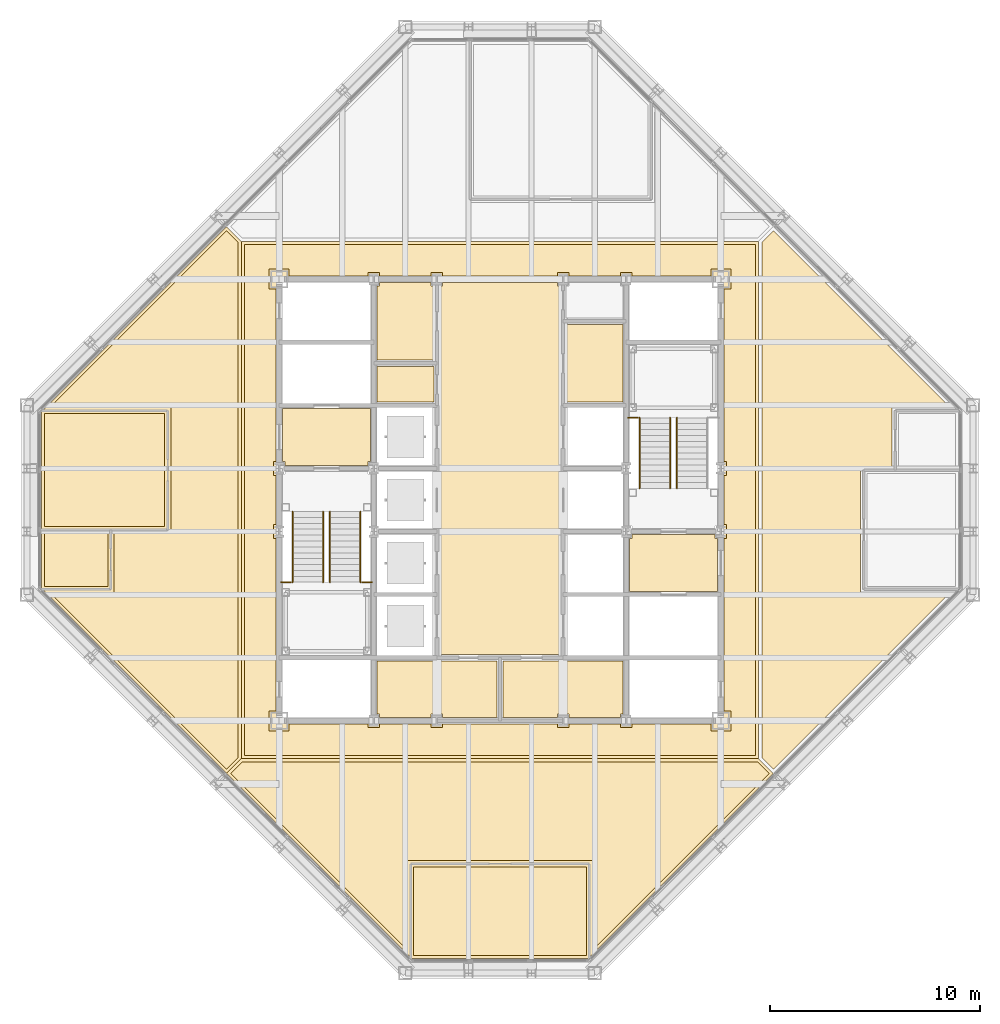
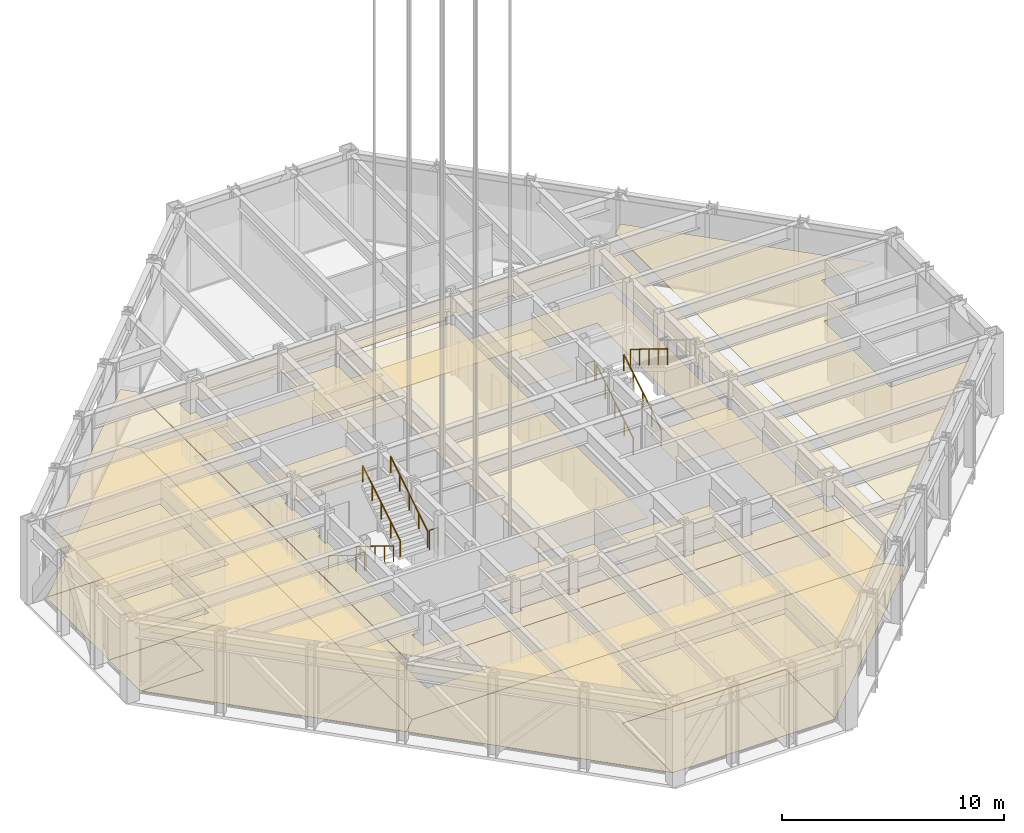
# One storey, part 14 of 24: 21 coverings, 10 railings.
"""IFC4 building model written with IfcOpenShell, lengths in metres."""

from ifc_helpers import new_model, si_unit, direction, frame, origin, origin_2d, place, context, subcontext, project, spatial, polyline, circle, outline, extrude, material, layer, layer_set, type_object, element, save


model = new_model("IFC4")

# Units and contexts
model_context = context("Model", 3, precision=1e-05, world=origin(), true_north=direction((0.0, 1.0)))
body_context = subcontext(model_context, "Body", "Model", "MODEL_VIEW")
ifc_project = project(units=[si_unit("LENGTHUNIT", "METRE"), si_unit("AREAUNIT", "SQUARE_METRE"), si_unit("VOLUMEUNIT", "CUBIC_METRE"), si_unit("PLANEANGLEUNIT", "RADIAN"), si_unit("MASSUNIT", "GRAM", prefix="KILO")], contexts=[model_context])

# Site, building, storey
site_placement = place(None, origin())
site = spatial("IfcSite", under=ifc_project, at=site_placement, CompositionType="ELEMENT")
building_placement = place(site_placement, origin())
building = spatial("IfcBuilding", under=site, at=building_placement, Name="Chuquiago Exchange Tower", CompositionType="ELEMENT")
storey_placement = place(building_placement, frame((0.0, 0.0, 257.699951171875)))
storey = spatial("IfcBuildingStorey", under=building, at=storey_placement, Name="L57", CompositionType="ELEMENT", Elevation=257.699951171875)

# Coverings
ifc_material_1 = material(Name="Mineral fibre tile, 600 x 600, on pale metal grid", Category="mineral fibre")
ifc_layer_1 = layer(ifc_material_1, 0.02001953125)
ifc_layer_set_1 = layer_set([ifc_layer_1], Name="CL1 suspended tile ceiling 20")
covering_type_1 = type_object("IfcCoveringType", Name="CL1 suspended tile ceiling 20", PredefinedType="CEILING", material=ifc_layer_set_1)
covering_1_placement = place(storey_placement, frame((0.0, 0.0, 3.199951171875)))
element("IfcCovering", 1, at=covering_1_placement, inside=storey, type_object=covering_type_1, Name="Ceiling Reception", PredefinedType="CEILING", context=body_context, shape_type="SweptSolid", body=[
    extrude(outline(polyline([(18.3984375, 5.050048828125), (26.6015625, 5.050048828125), (26.6015625, 0.85009765625), (18.3984375, 0.85009765625), (18.3984375, 5.050048828125)])), origin(), (0.0, 0.0, 1.0), 0.02001953125),
])
covering_2_placement = place(storey_placement, frame((0.0, 0.0, 3.199951171875)))
element("IfcCovering", 2, at=covering_2_placement, inside=storey, type_object=covering_type_1, Name="Ceiling Pantry", PredefinedType="CEILING", context=body_context, shape_type="SweptSolid", body=[
    extrude(outline(polyline([(0.85009765625, 20.932861328125), (3.85009765625, 20.932861328125), (3.85009765625, 18.3984375), (0.85009765625, 18.3984375), (0.85009765625, 20.932861328125)])), origin(), (0.0, 0.0, 1.0), 0.02001953125),
])
covering_3_placement = place(storey_placement, frame((0.0, 0.0, 3.199951171875)))
element("IfcCovering", 3, at=covering_3_placement, inside=storey, type_object=covering_type_1, Name="Ceiling Conference room", PredefinedType="CEILING", context=body_context, shape_type="SweptSolid", body=[
    extrude(outline(polyline([(6.550048828125, 26.6015625), (6.550048828125, 21.23291015625), (0.85009765625, 21.23291015625), (0.85009765625, 26.6015625), (6.550048828125, 26.6015625)])), origin(), (0.0, 0.0, 1.0), 0.02001953125),
])
covering_4_placement = place(storey_placement, frame((0.0, 0.0, 3.199951171875)))
element("IfcCovering", 4, at=covering_4_placement, inside=storey, type_object=covering_type_1, Name="Ceiling Cafe", PredefinedType="CEILING", context=body_context, shape_type="SweptSolid", body=[
    extrude(outline(polyline([(41.14990234375, 26.901611328125), (41.14990234375, 24.067138671875), (39.64990234375, 24.067138671875), (39.64990234375, 18.098388671875), (43.896484375, 18.098388671875), (35.5048828125, 9.70703125), (34.949951171875, 10.26220703125), (34.949951171875, 34.73779296875), (35.5048828125, 35.29296875), (43.896484375, 26.901611328125), (41.14990234375, 26.901611328125)])), origin(), (0.0, 0.0, 1.0), 0.02001953125),
])
covering_5_placement = place(storey_placement, frame((0.0, 0.0, 3.199951171875)))
element("IfcCovering", 5, at=covering_5_placement, inside=storey, type_object=covering_type_1, Name="Ceiling Visitor reception", PredefinedType="CEILING", context=body_context, shape_type="SweptSolid", body=[
    extrude(outline(polyline([(26.901611328125, 5.35009765625), (18.098388671875, 5.35009765625), (18.098388671875, 1.103515625), (9.70703125, 9.4951171875), (10.26220703125, 10.050048828125), (34.73779296875, 10.050048828125), (35.29296875, 9.4951171875), (26.901611328125, 1.103515625), (26.901611328125, 5.35009765625)])), origin(), (0.0, 0.0, 1.0), 0.02001953125),
])
covering_6_placement = place(storey_placement, frame((0.0, 0.0, 3.199951171875)))
element("IfcCovering", 6, at=covering_6_placement, inside=storey, type_object=covering_type_1, Name="Ceiling Business centre", PredefinedType="CEILING", context=body_context, shape_type="SweptSolid", body=[
    extrude(outline(polyline([(4.14990234375, 18.098388671875), (4.14990234375, 20.932861328125), (6.85009765625, 20.932861328125), (6.85009765625, 26.901611328125), (1.103515625, 26.901611328125), (9.4951171875, 35.29296875), (10.050048828125, 34.73779296875), (10.050048828125, 10.26220703125), (9.4951171875, 9.70703125), (1.103515625, 18.098388671875), (4.14990234375, 18.098388671875)])), origin(), (0.0, 0.0, 1.0), 0.02001953125),
])
covering_7_placement = place(storey_placement, frame((0.0, 0.0, 3.199951171875)))
element("IfcCovering", 7, at=covering_7_placement, inside=storey, type_object=covering_type_1, Name="Ceiling First aid room", PredefinedType="CEILING", context=body_context, shape_type="SweptSolid", body=[
    extrude(outline(polyline([(16.64990234375, 27.14990234375), (16.64990234375, 28.85009765625), (19.35009765625, 28.85009765625), (19.35009765625, 27.14990234375), (16.64990234375, 27.14990234375)])), origin(), (0.0, 0.0, 1.0), 0.02001953125),
])
ifc_material_2 = material(Name="Moisture resistant plasterboard on metal frame", Category="gypsum")
ifc_layer_2 = layer(ifc_material_2, 0.014892578125)
ifc_layer_set_2 = layer_set([ifc_layer_2], Name="CL2 moisture resistant ceiling 15")
covering_type_2 = type_object("IfcCoveringType", Name="CL2 moisture resistant ceiling 15", PredefinedType="CEILING", material=ifc_layer_set_2)
covering_8_placement = place(storey_placement, frame((0.0, 0.0, 2.60009765625)))
element("IfcCovering", 8, at=covering_8_placement, inside=storey, type_object=covering_type_2, Name="Ceiling Male WC", PredefinedType="CEILING", context=body_context, shape_type="SweptSolid", body=[
    extrude(outline(polyline([(16.64990234375, 29.14990234375), (16.64990234375, 32.67578125), (16.77490234375, 32.67578125), (16.77490234375, 32.85009765625), (19.22509765625, 32.85009765625), (19.22509765625, 32.67578125), (19.35009765625, 32.67578125), (19.35009765625, 29.14990234375), (16.64990234375, 29.14990234375)])), origin(), (0.0, 0.0, 1.0), 0.014892578125),
])
covering_9_placement = place(storey_placement, frame((0.0, 0.0, 2.60009765625)))
element("IfcCovering", 9, at=covering_9_placement, inside=storey, type_object=covering_type_2, Name="Ceiling Female WC", PredefinedType="CEILING", context=body_context, shape_type="SweptSolid", body=[
    extrude(outline(polyline([(25.64990234375, 27.14990234375), (25.64990234375, 30.85009765625), (28.35009765625, 30.85009765625), (28.35009765625, 27.14990234375), (25.64990234375, 27.14990234375)])), origin(), (0.0, 0.0, 1.0), 0.014892578125),
])
covering_10_placement = place(storey_placement, frame((0.0, 0.0, 2.60009765625)))
element("IfcCovering", 10, at=covering_10_placement, inside=storey, type_object=covering_type_2, Name="Ceiling Accessible WC", PredefinedType="CEILING", context=body_context, shape_type="SweptSolid", body=[
    extrude(outline(polyline([(25.77490234375, 12.14990234375), (25.77490234375, 12.32421875), (25.22509765625, 12.32421875), (25.22509765625, 12.14990234375), (22.64990234375, 12.14990234375), (22.64990234375, 14.85009765625), (28.35009765625, 14.85009765625), (28.35009765625, 12.32421875), (28.22509765625, 12.32421875), (28.22509765625, 12.14990234375), (25.77490234375, 12.14990234375)])), origin(), (0.0, 0.0, 1.0), 0.014892578125),
])
covering_11_placement = place(storey_placement, frame((0.0, 0.0, 2.60009765625)))
element("IfcCovering", 11, at=covering_11_placement, inside=storey, type_object=covering_type_2, Name="Ceiling Cleaner", PredefinedType="CEILING", context=body_context, shape_type="SweptSolid", body=[
    extrude(outline(polyline([(19.77490234375, 12.14990234375), (19.77490234375, 12.32421875), (19.22509765625, 12.32421875), (19.22509765625, 12.14990234375), (16.77490234375, 12.14990234375), (16.77490234375, 12.32421875), (16.64990234375, 12.32421875), (16.64990234375, 14.85009765625), (22.35009765625, 14.85009765625), (22.35009765625, 12.14990234375), (19.77490234375, 12.14990234375)])), origin(), (0.0, 0.0, 1.0), 0.014892578125),
])
ifc_material_3 = material(Name="Pale metal plank ceiling, perforated", Category="aluminium")
ifc_layer_3 = layer(ifc_material_3, 0.030029296875)
ifc_layer_set_3 = layer_set([ifc_layer_3], Name="CL3 metal plank ceiling 30")
covering_type_3 = type_object("IfcCoveringType", Name="CL3 metal plank ceiling 30", PredefinedType="CEILING", material=ifc_layer_set_3)
covering_12_placement = place(storey_placement, frame((0.0, 0.0, 2.800048828125)))
element("IfcCovering", 12, at=covering_12_placement, inside=storey, type_object=covering_type_3, Name="Ceiling Sky lobby", PredefinedType="CEILING", context=body_context, shape_type="SweptSolid", body=[
    extrude(outline(polyline([(10.35009765625, 34.64990234375), (34.64990234375, 34.64990234375), (34.64990234375, 10.35009765625), (10.35009765625, 10.35009765625), (10.35009765625, 34.64990234375)]), holes=[polyline([(16.22509765625, 11.85009765625), (16.22509765625, 11.67578125), (16.77490234375, 11.67578125), (16.77490234375, 11.85009765625), (19.22509765625, 11.85009765625), (19.22509765625, 11.67578125), (19.77490234375, 11.67578125), (19.77490234375, 11.85009765625), (25.22509765625, 11.85009765625), (25.22509765625, 11.67578125), (25.77490234375, 11.67578125), (25.77490234375, 11.85009765625), (28.22509765625, 11.85009765625), (28.22509765625, 11.67578125), (28.77490234375, 11.67578125), (28.77490234375, 11.85009765625), (32.52490234375, 11.85009765625), (32.52490234375, 11.52490234375), (33.47509765625, 11.52490234375), (33.47509765625, 12.47509765625), (33.14990234375, 12.47509765625), (33.14990234375, 20.67578125), (33.27490234375, 20.67578125), (33.27490234375, 21.32421875), (33.14990234375, 21.32421875), (33.14990234375, 23.67578125), (33.27490234375, 23.67578125), (33.27490234375, 24.32421875), (33.14990234375, 24.32421875), (33.14990234375, 32.52490234375), (33.47509765625, 32.52490234375), (33.47509765625, 33.47509765625), (32.52490234375, 33.47509765625), (32.52490234375, 33.14990234375), (28.77490234375, 33.14990234375), (28.77490234375, 33.32421875), (28.22509765625, 33.32421875), (28.22509765625, 33.14990234375), (25.77490234375, 33.14990234375), (25.77490234375, 33.32421875), (25.22509765625, 33.32421875), (25.22509765625, 33.14990234375), (19.77490234375, 33.14990234375), (19.77490234375, 33.32421875), (19.22509765625, 33.32421875), (19.22509765625, 33.14990234375), (16.77490234375, 33.14990234375), (16.77490234375, 33.32421875), (16.22509765625, 33.32421875), (16.22509765625, 33.14990234375), (12.47509765625, 33.14990234375), (12.47509765625, 33.47509765625), (11.52490234375, 33.47509765625), (11.52490234375, 32.52490234375), (11.85009765625, 32.52490234375), (11.85009765625, 24.32421875), (11.72509765625, 24.32421875), (11.72509765625, 23.67578125), (11.85009765625, 23.67578125), (11.85009765625, 21.32421875), (11.72509765625, 21.32421875), (11.72509765625, 20.67578125), (11.85009765625, 20.67578125), (11.85009765625, 12.47509765625), (11.52490234375, 12.47509765625), (11.52490234375, 11.52490234375), (12.47509765625, 11.52490234375), (12.47509765625, 11.85009765625), (16.22509765625, 11.85009765625)])]), origin(), (0.0, 0.0, 1.0), 0.030029296875),
])
covering_13_placement = place(storey_placement, frame((0.0, 0.0, 2.800048828125)))
element("IfcCovering", 13, at=covering_13_placement, inside=storey, type_object=covering_type_3, Name="Ceiling Lift lobby", PredefinedType="CEILING", context=body_context, shape_type="SweptSolid", body=[
    extrude(outline(polyline([(19.64990234375, 15.14990234375), (19.64990234375, 32.67578125), (19.77490234375, 32.67578125), (19.77490234375, 32.85009765625), (25.22509765625, 32.85009765625), (25.22509765625, 32.67578125), (25.35009765625, 32.67578125), (25.35009765625, 15.14990234375), (19.64990234375, 15.14990234375)])), origin(), (0.0, 0.0, 1.0), 0.030029296875),
])
covering_14_placement = place(storey_placement, frame((0.0, 0.0, 2.800048828125)))
element("IfcCovering", 14, at=covering_14_placement, inside=storey, type_object=covering_type_3, Name="Ceiling Firefighting lobby", PredefinedType="CEILING", context=body_context, shape_type="SweptSolid", body=[
    extrude(outline(polyline([(12.27490234375, 24.14990234375), (12.27490234375, 24.32421875), (12.14990234375, 24.32421875), (12.14990234375, 26.85009765625), (16.35009765625, 26.85009765625), (16.35009765625, 24.32421875), (16.22509765625, 24.32421875), (16.22509765625, 24.14990234375), (12.27490234375, 24.14990234375)])), origin(), (0.0, 0.0, 1.0), 0.030029296875),
])
covering_15_placement = place(storey_placement, frame((0.0, 0.0, 2.800048828125)))
element("IfcCovering", 15, at=covering_15_placement, inside=storey, type_object=covering_type_3, Name="Ceiling Firefighting lobby", PredefinedType="CEILING", context=body_context, shape_type="SweptSolid", body=[
    extrude(outline(polyline([(28.64990234375, 18.14990234375), (28.64990234375, 20.67578125), (28.77490234375, 20.67578125), (28.77490234375, 20.85009765625), (32.72509765625, 20.85009765625), (32.72509765625, 20.67578125), (32.85009765625, 20.67578125), (32.85009765625, 18.14990234375), (28.64990234375, 18.14990234375)])), origin(), (0.0, 0.0, 1.0), 0.030029296875),
])
ifc_material_4 = material(Name="Porcelain floor tile, 600 x 600, on adhesive bed", Category="ceramic")
ifc_layer_4 = layer(ifc_material_4, 0.014892578125)
ifc_layer_set_4 = layer_set([ifc_layer_4], Name="FL2 porcelain tile 15")
covering_type_4 = type_object("IfcCoveringType", Name="FL2 porcelain tile 15", PredefinedType="FLOORING", material=ifc_layer_set_4)
covering_16_placement = place(storey_placement, origin())
element("IfcCovering", 16, at=covering_16_placement, inside=storey, type_object=covering_type_4, Name="Floor finish Reception", PredefinedType="FLOORING", context=body_context, shape_type="SweptSolid", body=[
    extrude(outline(polyline([(26.710205078125, 0.699951171875), (18.289794921875, 0.699951171875), (18.24853515625, 0.741455078125), (18.24853515625, 5.199951171875), (26.75146484375, 5.199951171875), (26.75146484375, 0.741455078125), (26.710205078125, 0.699951171875)])), origin(), (0.0, 0.0, 1.0), 0.01513671875),
])
covering_17_placement = place(storey_placement, origin())
element("IfcCovering", 17, at=covering_17_placement, inside=storey, type_object=covering_type_4, Name="Floor finish Pantry", PredefinedType="FLOORING", context=body_context, shape_type="SweptSolid", body=[
    extrude(outline(polyline([(0.699951171875, 21.082763671875), (4.0, 21.082763671875), (4.0, 18.24853515625), (0.741455078125, 18.24853515625), (0.699951171875, 18.289794921875), (0.699951171875, 21.082763671875)])), origin(), (0.0, 0.0, 1.0), 0.01513671875),
])
covering_18_placement = place(storey_placement, origin())
element("IfcCovering", 18, at=covering_18_placement, inside=storey, type_object=covering_type_4, Name="Floor finish Conference room", PredefinedType="FLOORING", context=body_context, shape_type="SweptSolid", body=[
    extrude(outline(polyline([(0.699951171875, 26.710205078125), (0.741455078125, 26.75146484375), (6.699951171875, 26.75146484375), (6.699951171875, 21.082763671875), (0.699951171875, 21.082763671875), (0.699951171875, 26.710205078125)])), origin(), (0.0, 0.0, 1.0), 0.01513671875),
])
covering_19_placement = place(storey_placement, origin())
element("IfcCovering", 19, at=covering_19_placement, inside=storey, type_object=covering_type_4, Name="Floor finish Sky lobby", PredefinedType="FLOORING", context=body_context, shape_type="SweptSolid", body=[
    extrude(outline(polyline([(10.199951171875, 10.199951171875), (10.199951171875, 34.800048828125), (34.800048828125, 34.800048828125), (34.800048828125, 10.199951171875), (10.199951171875, 10.199951171875)]), holes=[polyline([(12.0, 12.0), (33.0, 12.0), (33.0, 33.0), (12.0, 33.0), (12.0, 12.0)])]), origin(), (0.0, 0.0, 1.0), 0.01513671875),
])
covering_20_placement = place(storey_placement, origin())
element("IfcCovering", 20, at=covering_20_placement, inside=storey, type_object=covering_type_4, Name="Floor finish Visitor reception", PredefinedType="FLOORING", context=body_context, shape_type="SweptSolid", body=[
    extrude(outline(polyline([(26.75146484375, 0.741455078125), (26.75146484375, 5.199951171875), (18.24853515625, 5.199951171875), (18.24853515625, 0.741455078125), (9.4951171875, 9.4951171875), (10.199951171875, 10.199951171875), (34.800048828125, 10.199951171875), (35.5048828125, 9.4951171875), (26.75146484375, 0.741455078125)])), origin(), (0.0, 0.0, 1.0), 0.01513671875),
])
covering_21_placement = place(storey_placement, origin())
element("IfcCovering", 21, at=covering_21_placement, inside=storey, type_object=covering_type_4, Name="Floor finish Business centre", PredefinedType="FLOORING", context=body_context, shape_type="SweptSolid", body=[
    extrude(outline(polyline([(0.741455078125, 18.24853515625), (4.0, 18.24853515625), (4.0, 21.082763671875), (6.699951171875, 21.082763671875), (6.699951171875, 26.75146484375), (0.741455078125, 26.75146484375), (9.4951171875, 35.5048828125), (10.199951171875, 34.800048828125), (10.199951171875, 10.199951171875), (9.4951171875, 9.4951171875), (0.741455078125, 18.24853515625)])), origin(), (0.0, 0.0, 1.0), 0.01513671875),
])

# Railings
ifc_material_5 = material(Name="Pale metal guard with safety glass infill", Category="glass")
railing_type_1 = type_object("IfcRailingType", Name="GR1 guard 1100", PredefinedType="GUARDRAIL", material=ifc_material_5)
for number, where, name in (
    (22, (12.10009765625, 18.590087890625, 2.25), "Guard ST1 L57 landing 2"),
    (23, (15.945068359375, 18.590087890625, 2.25), "Guard ST1 L57 landing 2"),
    (24, (28.60009765625, 26.409912109375, 2.25), "Guard ST2 L57 landing 2"),
):
    element("IfcRailing", number, at=place(storey_placement, frame(where)), inside=storey, type_object=railing_type_1, Name=name, PredefinedType="GUARDRAIL", context=body_context, shape_type="SweptSolid", body=[
        extrude(circle(Radius=0.02392578125, at=origin_2d()), frame((0.0, 0.0, 1.076171875), z_axis=(1.0, 0.0, 0.0), x_axis=(0.0, 1.0, 0.0)), (0.0, 0.0, 1.0), 0.454833984375),
        extrude(circle(Radius=0.02099609375, at=origin_2d()), origin(), (0.0, 0.0, 1.0), 1.052001953125),
        extrude(circle(Radius=0.02099609375, at=origin_2d()), frame((0.454833984375, 0.0, 0.0)), (0.0, 0.0, 1.0), 1.052001953125),
    ])
ifc_material_6 = material(Name="Pale metal handrail", Category="steel")
railing_type_2 = type_object("IfcRailingType", Name="HR1 handrail 900", PredefinedType="HANDRAIL", material=ifc_material_6)
for number, where, name in (
    (25, (12.635009765625, 21.949951171875, 0.173095703125), "Handrail ST1 L57 flight 1"),
    (26, (14.0849609375, 21.949951171875, 0.173095703125), "Handrail ST1 L57 flight 1"),
):
    element("IfcRailing", number, at=place(storey_placement, frame(where)), inside=storey, type_object=railing_type_2, Name=name, PredefinedType="HANDRAIL", context=body_context, shape_type="SweptSolid", body=[
        extrude(circle(Radius=0.02392578125, at=origin_2d()), frame((0.0, 0.0, 0.8759765625), z_axis=(0.0, -0.850606129759, 0.525803396734), x_axis=(1.0, 0.0, 0.0)), (0.0, 0.0, 1.0), 3.949951171875),
        extrude(circle(Radius=0.02099609375, at=origin_2d()), origin(), (0.0, 0.0, 1.0), 0.851806640625),
        extrude(circle(Radius=0.02099609375, at=origin_2d()), frame((0.0, -0.83984375, 0.519287109375)), (0.0, 0.0, 1.0), 0.851806640625),
        extrude(circle(Radius=0.02099609375, at=origin_2d()), frame((0.0, -1.679931640625, 1.03857421875)), (0.0, 0.0, 1.0), 0.851806640625),
        extrude(circle(Radius=0.02099609375, at=origin_2d()), frame((0.0, -2.52001953125, 1.5576171875)), (0.0, 0.0, 1.0), 0.851806640625),
        extrude(circle(Radius=0.02099609375, at=origin_2d()), frame((0.0, -3.35986328125, 2.076904296875)), (0.0, 0.0, 1.0), 0.851806640625),
    ])
for number, where, name in (
    (27, (15.864990234375, 18.590087890625, 2.423095703125), "Handrail ST1 L57 flight 2"),
    (28, (14.4150390625, 18.590087890625, 2.423095703125), "Handrail ST1 L57 flight 2"),
    (29, (30.5849609375, 23.050048828125, 0.173095703125), "Handrail ST2 L57 flight 1"),
    (30, (29.135009765625, 23.050048828125, 0.173095703125), "Handrail ST2 L57 flight 1"),
):
    element("IfcRailing", number, at=place(storey_placement, frame(where)), inside=storey, type_object=railing_type_2, Name=name, PredefinedType="HANDRAIL", context=body_context, shape_type="SweptSolid", body=[
        extrude(circle(Radius=0.02392578125, at=origin_2d()), frame((0.0, 0.0, 0.8759765625), z_axis=(0.0, 0.850606129759, 0.525803396734), x_axis=(-1.0, 0.0, 0.0)), (0.0, 0.0, 1.0), 3.949951171875),
        extrude(circle(Radius=0.02099609375, at=origin_2d()), origin(), (0.0, 0.0, 1.0), 0.851806640625),
        extrude(circle(Radius=0.02099609375, at=origin_2d()), frame((0.0, 0.83984375, 0.519287109375)), (0.0, 0.0, 1.0), 0.851806640625),
        extrude(circle(Radius=0.02099609375, at=origin_2d()), frame((0.0, 1.679931640625, 1.03857421875)), (0.0, 0.0, 1.0), 0.851806640625),
        extrude(circle(Radius=0.02099609375, at=origin_2d()), frame((0.0, 2.52001953125, 1.5576171875)), (0.0, 0.0, 1.0), 0.851806640625),
        extrude(circle(Radius=0.02099609375, at=origin_2d()), frame((0.0, 3.35986328125, 2.076904296875)), (0.0, 0.0, 1.0), 0.851806640625),
    ])
railing_placement = place(storey_placement, frame((30.9150390625, 26.409912109375, 2.423095703125)))
element("IfcRailing", 31, at=railing_placement, inside=storey, type_object=railing_type_2, Name="Handrail ST2 L57 flight 2", PredefinedType="HANDRAIL", context=body_context, shape_type="SweptSolid", body=[
    extrude(circle(Radius=0.02392578125, at=origin_2d()), frame((0.0, 0.0, 0.8759765625), z_axis=(0.0, -0.850606129759, 0.525803396734), x_axis=(1.0, 0.0, 0.0)), (0.0, 0.0, 1.0), 3.949951171875),
    extrude(circle(Radius=0.02099609375, at=origin_2d()), origin(), (0.0, 0.0, 1.0), 0.851806640625),
    extrude(circle(Radius=0.02099609375, at=origin_2d()), frame((0.0, -0.83984375, 0.519287109375)), (0.0, 0.0, 1.0), 0.851806640625),
    extrude(circle(Radius=0.02099609375, at=origin_2d()), frame((0.0, -1.679931640625, 1.03857421875)), (0.0, 0.0, 1.0), 0.851806640625),
    extrude(circle(Radius=0.02099609375, at=origin_2d()), frame((0.0, -2.52001953125, 1.5576171875)), (0.0, 0.0, 1.0), 0.851806640625),
    extrude(circle(Radius=0.02099609375, at=origin_2d()), frame((0.0, -3.35986328125, 2.076904296875)), (0.0, 0.0, 1.0), 0.851806640625),
])

save(model, "model.ifc")
